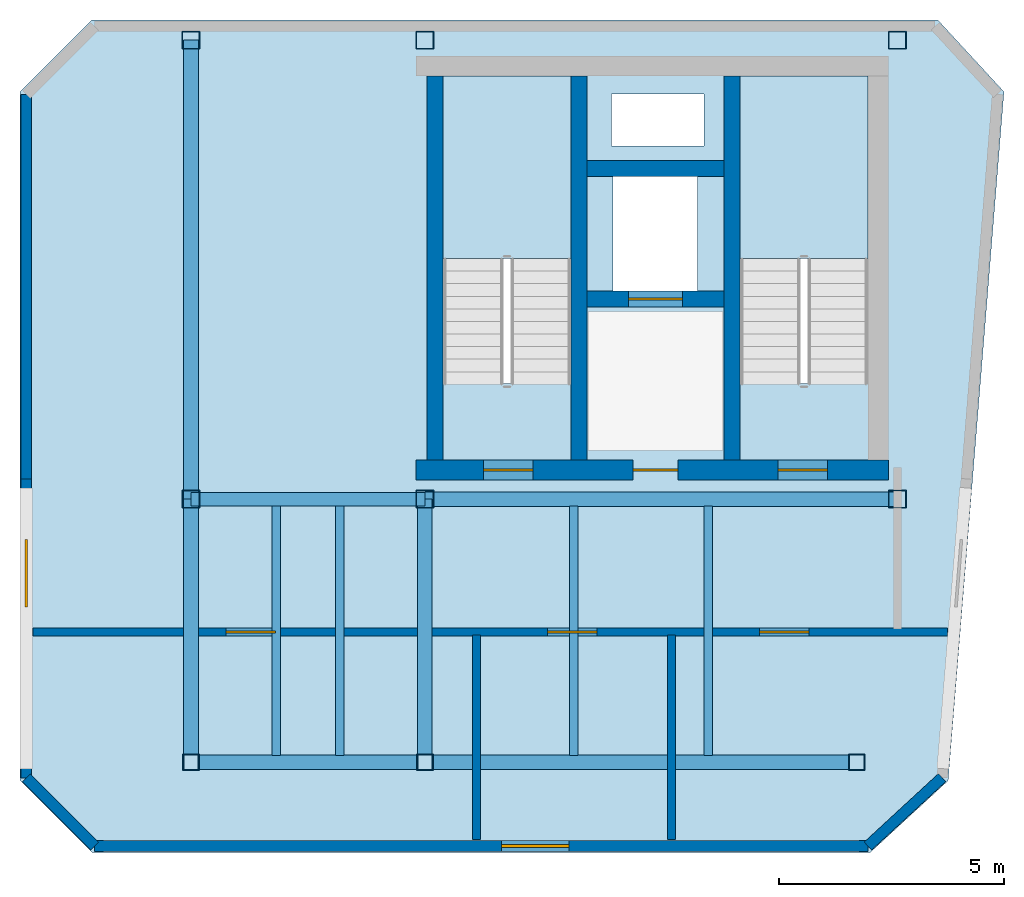
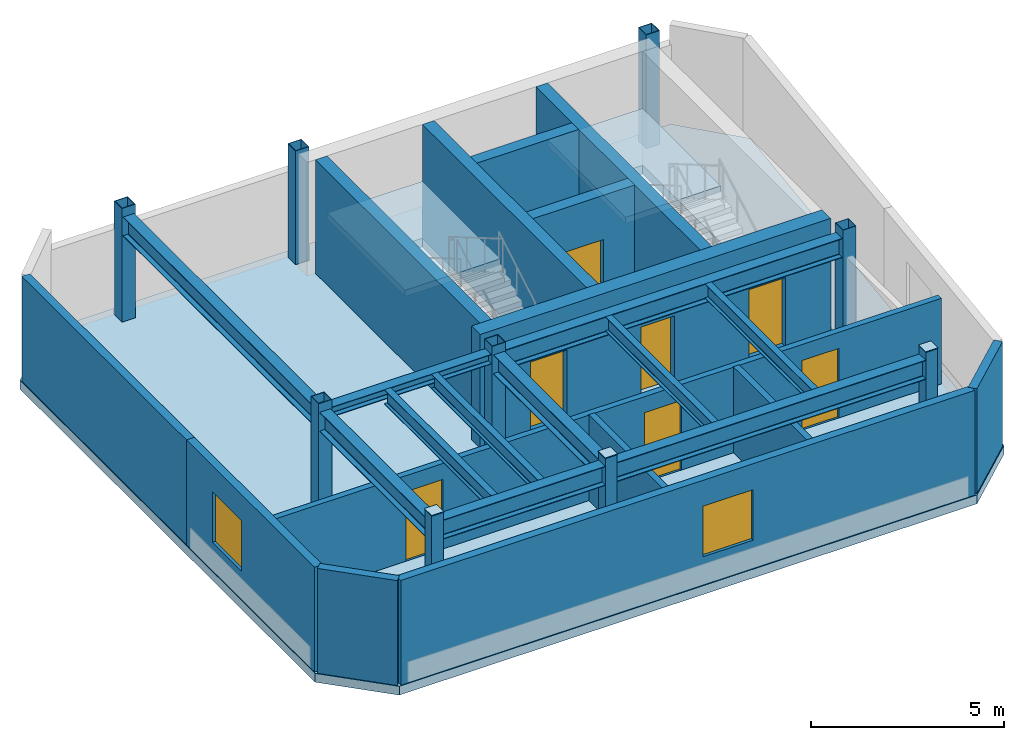
# One storey, part 1 of 3: 14 walls, 11 beams, 9 columns, 7 doors, 3 plates, 3 slabs, 2 windows, 9 openings, 2 elements without a shape of their own.
"""IFC4 building model written with IfcOpenShell, lengths in metres."""

import ifcopenshell
import ifcopenshell.guid

model = None  # the IFC model being written
_history = None  # IfcOwnerHistory: only IFC2X3 demands one
_inside = {}  # id of a spatial element -> (the spatial element, [elements in it])
_under = {}  # id of a project, library or spatial element -> (it, [spatial elements below it])
_declared = {}  # id of a project -> (the project, [libraries it declares])
_typed = {}  # id of a type object -> (the type object, [elements of that type])
_made_of = {}  # id of a material, layer set ... -> (it, [elements and type objects made of it])


def new_model(schema):
    """Start an empty IFC model of exactly this schema.

    Asked for "IFC4X3", IfcOpenShell would pick the latest addendum, in which some entities
    have other attributes; the version numbers below select the first issue.
    IFC2X3 requires an IfcOwnerHistory on every rooted entity: one is made here for all.
    """
    global model, _history
    if schema == "IFC4X3":
        model = ifcopenshell.file(schema_version=(4, 3, 0, 0))
    else:
        model = ifcopenshell.file(schema=schema)
    _inside.clear()
    _under.clear()
    _declared.clear()
    _typed.clear()
    _made_of.clear()
    _history = None
    if model.schema == "IFC2X3":
        org = make("IfcOrganization", Name="unknown")
        user = make(
            "IfcPersonAndOrganization",
            ThePerson=make("IfcPerson", FamilyName="unknown"),
            TheOrganization=org,
        )
        app = make(
            "IfcApplication",
            ApplicationDeveloper=org,
            Version="unknown",
            ApplicationFullName="unknown",
            ApplicationIdentifier="unknown",
        )
        _history = make(
            "IfcOwnerHistory",
            OwningUser=user,
            OwningApplication=app,
            ChangeAction="ADDED",
            CreationDate=0,
        )
    return model


def make(cls, **values):
    """One entity of the class cls with the attributes given. An attribute that is None is left unset."""
    return model.create_entity(
        cls, **{name: value for name, value in values.items() if value is not None}
    )


def rooted(cls, **values):
    """An entity with a GlobalId (a new one), such as an element, a storey or a relation."""
    return make(cls, GlobalId=ifcopenshell.guid.new(), OwnerHistory=_history, **values)


def si_unit(unit_type, name, prefix=None):
    """IfcSIUnit, for example si_unit("LENGTHUNIT", "METRE", prefix="MILLI")."""
    return make("IfcSIUnit", UnitType=unit_type, Prefix=prefix, Name=name)


def assignment(units):
    """IfcUnitAssignment: the units of a project."""
    return None if units is None else make("IfcUnitAssignment", Units=units)


def point(xyz):
    """IfcCartesianPoint."""
    return None if xyz is None else make("IfcCartesianPoint", Coordinates=xyz)


def direction(xyz):
    """IfcDirection."""
    return None if xyz is None else make("IfcDirection", DirectionRatios=xyz)


def frame(location, z_axis=None, x_axis=None):
    """IfcAxis2Placement3D, a coordinate frame: its origin and axes. An axis left out is left unset."""
    return make(
        "IfcAxis2Placement3D",
        Location=point(location),
        Axis=direction(z_axis),
        RefDirection=direction(x_axis),
    )


def frame_2d(location, x_axis=None):
    """IfcAxis2Placement2D, a coordinate frame in the plane: its origin and x axis."""
    return make(
        "IfcAxis2Placement2D", Location=point(location), RefDirection=direction(x_axis)
    )


def origin():
    """The frame at (0, 0, 0) with its axes left unset."""
    return frame((0.0, 0.0, 0.0))


def origin_2d():
    """The frame at (0, 0) in the plane with its x axis left unset."""
    return frame_2d((0.0, 0.0))


def place(relative_to, where):
    """IfcLocalPlacement: puts the frame where relative to a parent placement (None: the world)."""
    return make(
        "IfcLocalPlacement", PlacementRelTo=relative_to, RelativePlacement=where
    )


def context(
    kind, dimensions, precision=None, world=None, true_north=None, identifier=None
):
    """IfcGeometricRepresentationContext, for example the 3D "Model" context."""
    return make(
        "IfcGeometricRepresentationContext",
        ContextIdentifier=identifier,
        ContextType=kind,
        CoordinateSpaceDimension=dimensions,
        Precision=precision,
        WorldCoordinateSystem=world,
        TrueNorth=true_north,
    )


def subcontext(parent, identifier, kind, view, scale=None):
    """IfcGeometricRepresentationSubContext, for example "Body" below "Model"."""
    return make(
        "IfcGeometricRepresentationSubContext",
        ContextIdentifier=identifier,
        ContextType=kind,
        ParentContext=parent,
        TargetScale=scale,
        TargetView=view,
    )


def project(units=None, contexts=None):
    """IfcProject with its units and contexts."""
    return rooted(
        "IfcProject",
        Name="project",
        RepresentationContexts=contexts,
        UnitsInContext=assignment(units),
    )


def spatial(cls, under=None, at=None, **own):
    """A site, building, storey or space (cls), placed at a placement, below another one or the project."""
    s = rooted(cls, ObjectPlacement=at, **own)
    if under is not None:
        _under.setdefault(under.id(), (under, []))[1].append(s)
    return s


def polyline(points):
    """IfcPolyline through the points."""
    return make("IfcPolyline", Points=[point(p) for p in points])


def profile(cls, at=None, kind="AREA", **sizes):
    """A parametric profile (cls). Its sizes go by their IFC names, for example OverallWidth=200.0."""
    return make(cls, ProfileType=kind, Position=at, **sizes)


def rectangle(**sizes):
    """IfcRectangleProfileDef."""
    return profile("IfcRectangleProfileDef", **sizes)


def hollow_rectangle(**sizes):
    """IfcRectangleHollowProfileDef."""
    return profile("IfcRectangleHollowProfileDef", **sizes)


def i_section(**sizes):
    """IfcIShapeProfileDef."""
    return profile("IfcIShapeProfileDef", **sizes)


def outline(outer, holes=None, kind="AREA"):
    """IfcArbitraryClosedProfileDef: a profile drawn as a closed curve; with holes, ...WithVoids."""
    if holes is None:
        return make("IfcArbitraryClosedProfileDef", ProfileType=kind, OuterCurve=outer)
    return make(
        "IfcArbitraryProfileDefWithVoids",
        ProfileType=kind,
        OuterCurve=outer,
        InnerCurves=holes,
    )


def extrude(swept, where, along, depth):
    """IfcExtrudedAreaSolid: the profile swept, set in the frame where, extruded along a direction by depth."""
    return make(
        "IfcExtrudedAreaSolid",
        SweptArea=swept,
        Position=where,
        ExtrudedDirection=direction(along),
        Depth=depth,
    )


def shape(context_of_items, identifier, shape_type, items):
    """IfcShapeRepresentation: the items that make up one representation, for example the "Body"."""
    return make(
        "IfcShapeRepresentation",
        ContextOfItems=context_of_items,
        RepresentationIdentifier=identifier,
        RepresentationType=shape_type,
        Items=items,
    )


def material(Name=None, Category=None):
    """IfcMaterial."""
    return make("IfcMaterial", Name=Name, Category=Category)


def layer(
    of_material, thickness, ventilated=None, Name=None, Category=None, Priority=None
):
    """IfcMaterialLayer: one layer of a wall or slab, of a material (None: an air gap)."""
    return make(
        "IfcMaterialLayer",
        Material=of_material,
        LayerThickness=thickness,
        IsVentilated=ventilated,
        Name=Name,
        Category=Category,
        Priority=Priority,
    )


def layer_set(layers, Name=None):
    """IfcMaterialLayerSet."""
    return make("IfcMaterialLayerSet", MaterialLayers=layers, LayerSetName=Name)


def material_profile(
    of_material, cross_section, Name=None, Category=None, Priority=None
):
    """IfcMaterialProfile: a cross section and its material."""
    return make(
        "IfcMaterialProfile",
        Name=Name,
        Material=of_material,
        Profile=cross_section,
        Priority=Priority,
        Category=Category,
    )


def profile_set(profiles, Name=None, composite=None):
    """IfcMaterialProfileSet."""
    return make(
        "IfcMaterialProfileSet",
        Name=Name,
        MaterialProfiles=profiles,
        CompositeProfile=composite,
    )


def made_of(thing, what):
    """Note that an element or type object is made of a material, layer set ...; save() writes the relation."""
    if what is not None:
        _made_of.setdefault(what.id(), (what, []))[1].append(thing)
    return thing


def type_object(cls, material=None, **own):
    """A type object (cls), such as IfcWallType, which elements share."""
    return made_of(rooted(cls, **own), material)


def element(
    cls,
    number,
    at=None,
    inside=None,
    cuts=None,
    type_object=None,
    material=None,
    context=None,
    identifier="Body",
    shape_type=None,
    held_by="IfcProductDefinitionShape",
    body=None,
    shapes=None,
    **own,
):
    """One element of the class cls, such as IfcWall. Its Tag is "e" and its number.

    at: its placement. inside: the storey or other place that contains it. cuts: it is an
    opening in that element (IfcRelVoidsElement). A single representation is given by context,
    identifier, shape_type and body (its items); several are given by shapes. held_by: the class
    of the entity that holds the representations. save() writes the other relations.
    """
    e = rooted(cls, Tag="e%d" % number, ObjectPlacement=at, **own)
    if body is not None:
        shapes = [shape(context, identifier, shape_type, body)]
    if shapes is not None:
        e.Representation = make(held_by, Representations=shapes)
    if inside is not None:
        _inside.setdefault(inside.id(), (inside, []))[1].append(e)
    if cuts is not None:
        rooted(
            "IfcRelVoidsElement", RelatingBuildingElement=cuts, RelatedOpeningElement=e
        )
    if type_object is not None:
        _typed.setdefault(type_object.id(), (type_object, []))[1].append(e)
    return made_of(e, material)


def fill(opening, filler):
    """IfcRelFillsElement: the door or window that sits in an opening."""
    return rooted(
        "IfcRelFillsElement",
        RelatingOpeningElement=opening,
        RelatedBuildingElement=filler,
    )


def aggregate(whole, parts):
    """IfcRelAggregates: a whole, such as a stair, and the parts it consists of."""
    return rooted("IfcRelAggregates", RelatingObject=whole, RelatedObjects=parts)


def save(model, path):
    """Write the relations noted so far, then the file.

    IfcRelAggregates (storeys below a building ...), IfcRelContainedInSpatialStructure (elements
    in a storey), IfcRelDefinesByType, IfcRelAssociatesMaterial and IfcRelDeclares: one each for
    every whole, place, type object, material and project.
    """
    for whole, parts in _under.values():
        aggregate(whole, parts)
    for where, things in _inside.values():
        rooted(
            "IfcRelContainedInSpatialStructure",
            RelatedElements=things,
            RelatingStructure=where,
        )
    for kind, things in _typed.values():
        rooted("IfcRelDefinesByType", RelatedObjects=things, RelatingType=kind)
    for what, things in _made_of.values():
        rooted("IfcRelAssociatesMaterial", RelatedObjects=things, RelatingMaterial=what)
    for by, libraries in _declared.values():
        rooted("IfcRelDeclares", RelatingContext=by, RelatedDefinitions=libraries)
    model.write(path)


model = new_model("IFC4")

# Units and contexts
model_context = context("Model", 3, precision=1e-05, world=origin(), true_north=direction((0.0, 1.0)))
body_context = subcontext(model_context, "Body", "Model", "MODEL_VIEW")
ifc_project = project(units=[si_unit("LENGTHUNIT", "METRE"), si_unit("AREAUNIT", "SQUARE_METRE"), si_unit("VOLUMEUNIT", "CUBIC_METRE"), si_unit("PLANEANGLEUNIT", "RADIAN"), si_unit("MASSUNIT", "GRAM", prefix="KILO")], contexts=[model_context])

# Site, building, storey
site_placement = place(None, origin())
site = spatial("IfcSite", under=ifc_project, at=site_placement, CompositionType="ELEMENT")
building_placement = place(site_placement, origin())
building = spatial("IfcBuilding", under=site, at=building_placement, Name="Kravanh Interchange Tower", CompositionType="ELEMENT")
storey_placement = place(building_placement, frame((0.0, 0.0, 326.39990234375)))
storey = spatial("IfcBuildingStorey", under=building, at=storey_placement, Name="L81", CompositionType="ELEMENT", Elevation=326.39990234375)

# Columns
ifc_material_1 = material(Name="Structural Steel S355", Category="steel")
ifc_material_profile_1 = material_profile(ifc_material_1, hollow_rectangle(XDim=0.35009765625, YDim=0.35009765625, WallThickness=0.01611328125, at=origin_2d()), Name="HSS350X350X16")
ifc_profile_set_1 = profile_set([ifc_material_profile_1], Name="Structural Steel S355")
column_type_1 = type_object("IfcColumnType", Name="Column HSS350X350X16 Structural Steel S355", PredefinedType="COLUMN", material=ifc_profile_set_1)
for number, where, z_axis, x_axis, name in (
    (1, (56.0, 31.5, 0.0), (0.0, 0.0, 1.0), (1.0, 0.0, 0.0), "L81 Column CC_F"),
    (2, (65.60009765625, 31.5, 0.0), (0.0, 0.0, 1.0), (1.0, 0.0, 0.0), "L81 Column CC_G"),
    (3, (50.800048828125, 31.5, 0.0), (0.0, 0.0, 1.0), (1.0, 0.0, 0.0), "L81 Column CC_I"),
):
    element("IfcColumn", number, at=place(storey_placement, frame(where, z_axis=z_axis, x_axis=x_axis)), inside=storey, type_object=column_type_1, Name=name, PredefinedType="COLUMN", context=body_context, shape_type="SweptSolid", body=[
        extrude(hollow_rectangle(XDim=0.35009765625, YDim=0.35009765625, WallThickness=0.01611328125, at=origin_2d()), origin(), (0.0, 0.0, 1.0), 3.5751953125),
    ])
ifc_material_2 = material(Name="Structural Steel S355", Category="steel")
ifc_material_profile_2 = material_profile(ifc_material_2, hollow_rectangle(XDim=0.39990234375, YDim=0.39990234375, WallThickness=0.01611328125, at=origin_2d()), Name="HSS400X400X16")
ifc_profile_set_2 = profile_set([ifc_material_profile_2], Name="Structural Steel S355")
column_type_2 = type_object("IfcColumnType", Name="Column HSS400X400X16 Structural Steel S355", PredefinedType="COLUMN", material=ifc_profile_set_2)
for number, where, z_axis, x_axis, name in (
    (4, (66.5, 47.550048828125, 0.0), (0.0, 0.0, 1.0), (1.0, 0.0, 0.0), "L81 Column CS01"),
    (5, (56.0, 47.550048828125, 0.0), (0.0, 0.0, 1.0), (1.0, 0.0, 0.0), "L81 Column CS02"),
    (6, (66.5, 37.35009765625, 0.0), (0.0, 0.0, 1.0), (1.0, 0.0, 0.0), "L81 Column CS03"),
    (7, (56.0, 37.35009765625, 0.0), (0.0, 0.0, 1.0), (1.0, 0.0, 0.0), "L81 Column CS04"),
    (8, (50.800048828125, 47.550048828125, 0.0), (0.0, 0.0, 1.0), (1.0, 0.0, 0.0), "L81 Column CS05"),
    (9, (50.800048828125, 37.35009765625, 0.0), (0.0, 0.0, 1.0), (1.0, 0.0, 0.0), "L81 Column CS06"),
):
    element("IfcColumn", number, at=place(storey_placement, frame(where, z_axis=z_axis, x_axis=x_axis)), inside=storey, type_object=column_type_2, Name=name, PredefinedType="COLUMN", context=body_context, shape_type="SweptSolid", body=[
        extrude(hollow_rectangle(XDim=0.39990234375, YDim=0.39990234375, WallThickness=0.01611328125, at=origin_2d()), origin(), (0.0, 0.0, 1.0), 3.60009765625),
    ])

# Beams
ifc_material_3 = material(Name="Structural Steel S355", Category="steel")
ifc_material_profile_3 = material_profile(ifc_material_3, i_section(OverallWidth=0.323974609375, OverallDepth=0.611083984375, WebThickness=0.0126953125, FlangeThickness=0.01904296875, FilletRadius=0.02197265625, at=origin_2d()), Name="W24X104")
ifc_profile_set_3 = profile_set([ifc_material_profile_3], Name="Structural Steel S355")
beam_type_1 = type_object("IfcBeamType", Name="Floor Beam W24X104 Structural Steel S355", PredefinedType="BEAM", material=ifc_profile_set_3)
beam_1_placement = place(storey_placement, frame((56.0, 31.5, 3.0146484375), z_axis=(-1.0, 0.0, 0.0), x_axis=(0.0, -1.0, 0.0)))
element("IfcBeam", 10, at=beam_1_placement, inside=storey, type_object=beam_type_1, Name="L81 Primary Floor Girder 1", PredefinedType="BEAM", context=body_context, shape_type="SweptSolid", body=[
    extrude(i_section(OverallWidth=0.323974609375, OverallDepth=0.611083984375, WebThickness=0.0126953125, FlangeThickness=0.01904296875, FilletRadius=0.02197265625, at=origin_2d()), origin(), (0.0, 0.0, 1.0), 5.199951171875),
])
beam_2_placement = place(storey_placement, frame((56.0, 31.5, 3.0146484375), z_axis=(0.0, 1.0, 0.0), x_axis=(-1.0, 0.0, 0.0)))
element("IfcBeam", 11, at=beam_2_placement, inside=storey, type_object=beam_type_1, Name="L81 Primary Floor Girder 2", PredefinedType="BEAM", context=body_context, shape_type="SweptSolid", body=[
    extrude(i_section(OverallWidth=0.323974609375, OverallDepth=0.611083984375, WebThickness=0.0126953125, FlangeThickness=0.01904296875, FilletRadius=0.02197265625, at=origin_2d()), origin(), (0.0, 0.0, 1.0), 5.85009765625),
])
beam_3_placement = place(storey_placement, frame((56.0, 31.5, 3.0146484375), z_axis=(1.0, 0.0, 0.0), x_axis=(0.0, 1.0, 0.0)))
element("IfcBeam", 12, at=beam_3_placement, inside=storey, type_object=beam_type_1, Name="L81 Primary Floor Girder 3", PredefinedType="BEAM", context=body_context, shape_type="SweptSolid", body=[
    extrude(i_section(OverallWidth=0.323974609375, OverallDepth=0.611083984375, WebThickness=0.0126953125, FlangeThickness=0.01904296875, FilletRadius=0.02197265625, at=origin_2d()), origin(), (0.0, 0.0, 1.0), 9.60009765625),
])
beam_4_placement = place(storey_placement, frame((50.800048828125, 31.5, 3.0146484375), z_axis=(0.0, 1.0, 0.0), x_axis=(-1.0, 0.0, 0.0)))
element("IfcBeam", 13, at=beam_4_placement, inside=storey, type_object=beam_type_1, Name="L81 Primary Floor Girder 4", PredefinedType="BEAM", context=body_context, shape_type="SweptSolid", body=[
    extrude(i_section(OverallWidth=0.323974609375, OverallDepth=0.611083984375, WebThickness=0.0126953125, FlangeThickness=0.01904296875, FilletRadius=0.02197265625, at=origin_2d()), origin(), (0.0, 0.0, 1.0), 5.85009765625),
])
beam_5_placement = place(storey_placement, frame((66.5, 37.35009765625, 3.0146484375), z_axis=(-1.0, 0.0, 0.0), x_axis=(0.0, -1.0, 0.0)))
element("IfcBeam", 14, at=beam_5_placement, inside=storey, type_object=beam_type_1, Name="L81 Primary Floor Girder 9", PredefinedType="BEAM", context=body_context, shape_type="SweptSolid", body=[
    extrude(i_section(OverallWidth=0.323974609375, OverallDepth=0.611083984375, WebThickness=0.0126953125, FlangeThickness=0.01904296875, FilletRadius=0.02197265625, at=origin_2d()), origin(), (0.0, 0.0, 1.0), 10.5),
])
beam_6_placement = place(storey_placement, frame((50.800048828125, 47.550048828125, 3.0146484375), z_axis=(0.0, -1.0, 0.0), x_axis=(1.0, 0.0, 0.0)))
element("IfcBeam", 15, at=beam_6_placement, inside=storey, type_object=beam_type_1, Name="L81 Primary Floor Girder 11", PredefinedType="BEAM", context=body_context, shape_type="SweptSolid", body=[
    extrude(i_section(OverallWidth=0.323974609375, OverallDepth=0.611083984375, WebThickness=0.0126953125, FlangeThickness=0.01904296875, FilletRadius=0.02197265625, at=origin_2d()), origin(), (0.0, 0.0, 1.0), 10.199951171875),
])
ifc_material_4 = material(Name="Structural Steel S355", Category="steel")
ifc_material_profile_4 = material_profile(ifc_material_4, i_section(OverallWidth=0.18994140625, OverallDepth=0.45703125, WebThickness=0.009033203125, FlangeThickness=0.014404296875, FilletRadius=0.01806640625, at=origin_2d()), Name="W18X50")
ifc_profile_set_4 = profile_set([ifc_material_profile_4], Name="Structural Steel S355")
beam_type_2 = type_object("IfcBeamType", Name="Floor Joist W18X50 Structural Steel S355", PredefinedType="JOIST", material=ifc_profile_set_4)
for number, where, z_axis, x_axis, name in (
    (16, (52.697998046875, 31.656982421875, 3.091552734375), (0.0, 1.0, 0.0), (-1.0, 0.0, 0.0), "L81 Secondary Floor Joist 1"),
    (17, (54.10205078125, 31.656982421875, 3.091552734375), (0.0, 1.0, 0.0), (-1.0, 0.0, 0.0), "L81 Secondary Floor Joist 2"),
):
    element("IfcBeam", number, at=place(storey_placement, frame(where, z_axis=z_axis, x_axis=x_axis)), inside=storey, type_object=beam_type_2, Name=name, PredefinedType="JOIST", context=body_context, shape_type="SweptSolid", body=[
        extrude(i_section(OverallWidth=0.18994140625, OverallDepth=0.45703125, WebThickness=0.009033203125, FlangeThickness=0.014404296875, FilletRadius=0.01806640625, at=origin_2d()), origin(), (0.0, 0.0, 1.0), 5.54541015625),
    ])
for number, where, z_axis, x_axis, name in (
    (18, (59.305908203125, 31.656982421875, 3.091552734375), (0.0, 1.0, 0.0), (-1.0, 0.0, 0.0), "L81 Secondary Floor Joist 3"),
    (19, (62.2939453125, 31.656982421875, 3.091552734375), (0.0, 1.0, 0.0), (-1.0, 0.0, 0.0), "L81 Secondary Floor Joist 4"),
):
    element("IfcBeam", number, at=place(storey_placement, frame(where, z_axis=z_axis, x_axis=x_axis)), inside=storey, type_object=beam_type_2, Name=name, PredefinedType="JOIST", context=body_context, shape_type="SweptSolid", body=[
        extrude(i_section(OverallWidth=0.18994140625, OverallDepth=0.45703125, WebThickness=0.009033203125, FlangeThickness=0.014404296875, FilletRadius=0.01806640625, at=origin_2d()), origin(), (0.0, 0.0, 1.0), 5.5361328125),
    ])
ifc_material_5 = material(Name="Structural Steel S355", Category="steel")
ifc_material_profile_5 = material_profile(ifc_material_5, i_section(OverallWidth=0.304931640625, OverallDepth=0.306884765625, WebThickness=0.010009765625, FlangeThickness=0.015380859375, FilletRadius=0.014892578125, at=origin_2d()), Name="W12X65")
ifc_profile_set_5 = profile_set([ifc_material_profile_5], Name="Structural Steel S355")
beam_type_3 = type_object("IfcBeamType", Name="Floor Lintel W12X65 Structural Steel S355", PredefinedType="LINTEL", material=ifc_profile_set_5)
beam_7_placement = place(storey_placement, frame((50.800048828125, 37.35009765625, 3.16650390625), z_axis=(1.0, 0.0, 0.0), x_axis=(0.0, 1.0, 0.0)))
element("IfcBeam", 20, at=beam_7_placement, inside=storey, type_object=beam_type_3, Name="L81 Core Coupling Lintel 1", PredefinedType="LINTEL", context=body_context, shape_type="SweptSolid", body=[
    extrude(i_section(OverallWidth=0.304931640625, OverallDepth=0.306884765625, WebThickness=0.010009765625, FlangeThickness=0.015380859375, FilletRadius=0.014892578125, at=origin_2d()), origin(), (0.0, 0.0, 1.0), 5.199951171875),
])

# Plates
ifc_material_6 = material(Name="Structural Steel S355", Category="steel")
ifc_layer_1 = layer(ifc_material_6, 0.02490234375)
ifc_layer_set_1 = layer_set([ifc_layer_1], Name="Column End Cap Plate 370x370x25 S355")
plate_type = type_object("IfcPlateType", Name="Column End Cap Plate 370x370x25 S355", PredefinedType="SHEET", material=ifc_layer_set_1)
for number, where, z_axis, x_axis, name in (
    (21, (56.0, 31.5, 3.5751953125), (0.0, 0.0, 1.0), (1.0, 0.0, 0.0), "L81 Hollow Column CC_F End Cap Plate"),
    (22, (65.60009765625, 31.5, 3.5751953125), (0.0, 0.0, 1.0), (1.0, 0.0, 0.0), "L81 Hollow Column CC_G End Cap Plate"),
    (23, (50.800048828125, 31.5, 3.5751953125), (0.0, 0.0, 1.0), (1.0, 0.0, 0.0), "L81 Hollow Column CC_I End Cap Plate"),
):
    element("IfcPlate", number, at=place(storey_placement, frame(where, z_axis=z_axis, x_axis=x_axis)), inside=storey, type_object=plate_type, Name=name, PredefinedType="SHEET", context=body_context, shape_type="SweptSolid", body=[
        extrude(rectangle(XDim=0.3701171875, YDim=0.3701171875, at=origin_2d()), origin(), (0.0, 0.0, 1.0), 0.02490234375),
    ])

# Slab
ifc_material_7 = material(Name="Concrete C60/75", Category="concrete")
ifc_layer_2 = layer(ifc_material_7, 0.280029296875)
ifc_layer_set_2 = layer_set([ifc_layer_2], Name="Composite Floor Slab Concrete C60/75 280mm")
slab_type_1 = type_object("IfcSlabType", Name="Composite Floor Slab Concrete C60/75 280mm", PredefinedType="FLOOR", material=ifc_layer_set_2)
slab_1_placement = place(storey_placement, frame((0.0, 0.0, -0.27978515625)))
element("IfcSlab", 24, at=slab_1_placement, inside=storey, type_object=slab_type_1, Name="L81 Structural Floor Slab", PredefinedType="FLOOR", context=body_context, shape_type="SweptSolid", body=[
    extrude(outline(polyline([(47.0, 31.10009765625), (48.60009765625, 29.5), (65.89990234375, 29.5), (67.62939453125, 31.0947265625), (68.87060546875, 46.4052734375), (67.39990234375, 48.0), (48.60009765625, 48.0), (47.0, 46.39990234375), (47.0, 31.10009765625)]), holes=[polyline([(65.85009765625, 39.925048828125), (65.85009765625, 46.75), (63.0, 46.75), (63.0, 39.925048828125), (65.85009765625, 39.925048828125)]), polyline([(59.25, 39.925048828125), (59.25, 46.75), (56.39990234375, 46.75), (56.39990234375, 39.925048828125), (59.25, 39.925048828125)]), polyline([(60.179931640625, 41.97998046875), (62.06005859375, 41.97998046875), (62.06005859375, 44.52001953125), (60.179931640625, 44.52001953125), (60.179931640625, 41.97998046875)]), polyline([(60.14990234375, 45.199951171875), (62.199951171875, 45.199951171875), (62.199951171875, 46.35009765625), (60.14990234375, 46.35009765625), (60.14990234375, 45.199951171875)])]), origin(), (0.0, 0.0, 1.0), 0.27978515625),
])

# Stair, slab
ifc_material_8 = material(Name="Concrete C50/60", Category="concrete")
stair_type = type_object("IfcStairType", Name="Core Fire Exit Dogleg Stair Concrete C50/60", PredefinedType="HALF_TURN_STAIR", material=ifc_material_8)
stair_1_placement = place(storey_placement, origin())
stair_1 = element("IfcStair", 25, at=stair_1_placement, inside=storey, type_object=stair_type, Name="L81 Exit Stair ST1", PredefinedType="HALF_TURN_STAIR")
ifc_material_9 = material(Name="Concrete C50/60", Category="concrete")
ifc_layer_3 = layer(ifc_material_9, 0.199951171875)
ifc_layer_set_3 = layer_set([ifc_layer_3], Name="Concrete C50/60 Stair Half-Landing Slab 200mm")
slab_type_2 = type_object("IfcSlabType", Name="Concrete C50/60 Stair Half-Landing Slab 200mm", PredefinedType="LANDING", material=ifc_layer_set_3)
slab_2_placement = place(storey_placement, frame((0.0, 0.0, 1.60009765625)))
slab_2 = element("IfcSlab", 26, at=slab_2_placement, type_object=slab_type_2, Name="ST1 landing 1", PredefinedType="LANDING", context=body_context, shape_type="SweptSolid", body=[
    extrude(outline(polyline([(65.85009765625, 42.699951171875), (65.85009765625, 46.75), (63.0, 46.75), (63.0, 42.699951171875), (65.85009765625, 42.699951171875)])), origin(), (0.0, 0.0, 1.0), 0.199951171875),
])
aggregate(stair_1, [slab_2])

stair_2_placement = place(storey_placement, origin())
stair_2 = element("IfcStair", 27, at=stair_2_placement, inside=storey, type_object=stair_type, Name="L81 Exit Stair ST2", PredefinedType="HALF_TURN_STAIR")
slab_3_placement = place(storey_placement, frame((0.0, 0.0, 1.60009765625)))
slab_3 = element("IfcSlab", 28, at=slab_3_placement, type_object=slab_type_2, Name="ST2 landing 1", PredefinedType="LANDING", context=body_context, shape_type="SweptSolid", body=[
    extrude(outline(polyline([(59.25, 42.699951171875), (59.25, 46.75), (56.39990234375, 46.75), (56.39990234375, 42.699951171875), (59.25, 42.699951171875)])), origin(), (0.0, 0.0, 1.0), 0.199951171875),
])
aggregate(stair_2, [slab_3])

# Walls
ifc_material_10 = material(Name="Concrete C60/75", Category="concrete")
ifc_layer_4 = layer(ifc_material_10, 0.35009765625)
ifc_layer_set_4 = layer_set([ifc_layer_4], Name="Core Shear Wall Concrete C60/75 350mm")
wall_type_1 = type_object("IfcWallType", Name="Core Shear Wall Concrete C60/75 350mm", PredefinedType="SHEAR", material=ifc_layer_set_4)
for number, where, z_axis, x_axis, name in (
    (29, (62.824951171875, 38.22509765625, 0.0), (0.0, 0.0, 1.0), (0.0, 1.0, 0.0), "L81 Stair ST1 West Shear Wall"),
    (30, (59.425048828125, 38.22509765625, 0.0), (0.0, 0.0, 1.0), (0.0, 1.0, 0.0), "L81 Stair ST2 East Shear Wall"),
    (31, (56.22509765625, 38.22509765625, 0.0), (0.0, 0.0, 1.0), (0.0, 1.0, 0.0), "L81 Stair ST2 West Shear Wall"),
):
    element("IfcWall", number, at=place(storey_placement, frame(where, z_axis=z_axis, x_axis=x_axis)), inside=storey, type_object=wall_type_1, Name=name, PredefinedType="SHEAR", context=body_context, shape_type="SweptSolid", body=[
        extrude(rectangle(XDim=8.52490234375, YDim=0.35009765625, at=frame_2d((4.262451171875, 0.0))), origin(), (0.0, 0.0, 1.0), 3.60009765625),
    ])

# Wall, opening, door
wall_1_placement = place(storey_placement, frame((59.60009765625, 41.800048828125, 0.0), z_axis=(0.0, 0.0, 1.0), x_axis=(1.0, 0.0, 0.0)))
wall_1 = element("IfcWall", 32, at=wall_1_placement, inside=storey, type_object=wall_type_1, Name="L81 Service Lift Shaft South Wall", PredefinedType="SHEAR", context=body_context, shape_type="SweptSolid", body=[
    extrude(rectangle(XDim=3.0498046875, YDim=0.35009765625, at=frame_2d((1.52490234375, 0.0))), origin(), (0.0, 0.0, 1.0), 3.60009765625),
])
opening_1_placement = place(wall_1_placement, frame((0.919921875, 0.0, 0.0)))
opening_1 = element("IfcOpeningElement", 33, at=opening_1_placement, cuts=wall_1, Name="Opening LD02", PredefinedType="OPENING", context=body_context, shape_type="SweptSolid", body=[
    extrude(rectangle(XDim=1.199951171875, YDim=2.199951171875, at=frame_2d((0.60009765625, 1.10009765625))), frame((0.0, 0.18505859375, 0.0), z_axis=(0.0, -1.0, 0.0), x_axis=(1.0, 0.0, 0.0)), (0.0, 0.0, 1.0), 0.3701171875),
])
ifc_material_11 = material(Name="Stainless Steel 316", Category="steel")
door_type_1 = type_object("IfcDoorType", Name="Fire and Service Lift Sliding Landing Door 1200x2200", OperationType="DOUBLE_DOOR_SLIDING", PredefinedType="DOOR", material=ifc_material_11)
door_1_placement = place(opening_1_placement, origin())
door_1 = element("IfcDoor", 34, at=door_1_placement, inside=storey, type_object=door_type_1, Name="L81 Lift LS-01 Landing Door", OperationType="DOUBLE_DOOR_SLIDING", OverallHeight=2.199951171875, OverallWidth=1.199951171875, PredefinedType="DOOR", context=body_context, shape_type="SweptSolid", body=[
    extrude(rectangle(XDim=1.199951171875, YDim=2.199951171875, at=frame_2d((0.60009765625, 1.10009765625))), frame((0.0, 0.02490234375, 0.0), z_axis=(0.0, -1.0, 0.0), x_axis=(1.0, 0.0, 0.0)), (0.0, 0.0, 1.0), 0.050048828125),
])
fill(opening_1, door_1)

# Wall
wall_2_placement = place(storey_placement, frame((59.60009765625, 44.699951171875, 0.0), z_axis=(0.0, 0.0, 1.0), x_axis=(1.0, 0.0, 0.0)))
element("IfcWall", 35, at=wall_2_placement, inside=storey, type_object=wall_type_1, Name="L81 Service Lift Shaft North Wall", PredefinedType="SHEAR", context=body_context, shape_type="SweptSolid", body=[
    extrude(rectangle(XDim=3.0498046875, YDim=0.35009765625, at=frame_2d((1.52490234375, 0.0))), origin(), (0.0, 0.0, 1.0), 3.60009765625),
])

# Wall, openings, doors
ifc_material_12 = material(Name="Concrete C60/75", Category="concrete")
ifc_layer_5 = layer(ifc_material_12, 0.449951171875)
ifc_layer_set_5 = layer_set([ifc_layer_5], Name="Core Shear Wall Concrete C60/75 450mm")
wall_type_2 = type_object("IfcWallType", Name="Core Shear Wall Concrete C60/75 450mm", PredefinedType="SHEAR", material=ifc_layer_set_5)
wall_3_placement = place(storey_placement, frame((55.800048828125, 38.0, 0.0), z_axis=(0.0, 0.0, 1.0), x_axis=(1.0, 0.0, 0.0)))
wall_3 = element("IfcWall", 36, at=wall_3_placement, inside=storey, type_object=wall_type_2, Name="L81 East Core South Shear Wall", PredefinedType="SHEAR", context=body_context, shape_type="SweptSolid", body=[
    extrude(rectangle(XDim=10.5, YDim=0.449951171875, at=frame_2d((5.25, 0.0))), origin(), (0.0, 0.0, 1.0), 3.60009765625),
])
opening_2_placement = place(wall_3_placement, frame((1.5, 0.0, 0.0)))
opening_2 = element("IfcOpeningElement", 37, at=opening_2_placement, cuts=wall_3, Name="Opening D-STAIR-110", PredefinedType="OPENING", context=body_context, shape_type="SweptSolid", body=[
    extrude(rectangle(XDim=1.10009765625, YDim=2.199951171875, at=frame_2d((0.550048828125, 1.10009765625))), frame((0.0, 0.23486328125, 0.0), z_axis=(0.0, -1.0, 0.0), x_axis=(1.0, 0.0, 0.0)), (0.0, 0.0, 1.0), 0.469970703125),
])
opening_3_placement = place(wall_3_placement, frame((4.820068359375, 0.0, 0.0)))
opening_3 = element("IfcOpeningElement", 38, at=opening_3_placement, cuts=wall_3, Name="Opening D-HOTEL-100", PredefinedType="OPENING", context=body_context, shape_type="SweptSolid", body=[
    extrude(rectangle(XDim=1.0, YDim=2.14990234375, at=frame_2d((0.5, 1.074951171875))), frame((0.0, 0.23486328125, 0.0), z_axis=(0.0, -1.0, 0.0), x_axis=(1.0, 0.0, 0.0)), (0.0, 0.0, 1.0), 0.469970703125),
])
opening_4_placement = place(wall_3_placement, frame((8.050048828125, 0.0, 0.0)))
opening_4 = element("IfcOpeningElement", 39, at=opening_4_placement, cuts=wall_3, Name="Opening D-STAIR-110", PredefinedType="OPENING", context=body_context, shape_type="SweptSolid", body=[
    extrude(rectangle(XDim=1.10009765625, YDim=2.199951171875, at=frame_2d((0.550048828125, 1.10009765625))), frame((0.0, 0.23486328125, 0.0), z_axis=(0.0, -1.0, 0.0), x_axis=(1.0, 0.0, 0.0)), (0.0, 0.0, 1.0), 0.469970703125),
])
ifc_material_13 = material(Name="Structural Steel S355", Category="steel")
door_type_2 = type_object("IfcDoorType", Name="Fire-Rated Exit Stair Door 1100x2200", OperationType="NOTDEFINED", PredefinedType="DOOR", material=ifc_material_13)
door_2_placement = place(opening_2_placement, origin())
door_2 = element("IfcDoor", 40, at=door_2_placement, inside=storey, type_object=door_type_2, Name="L81 Exit Stair ST2 Door", OperationType="SINGLE_SWING_RIGHT", OverallHeight=2.199951171875, OverallWidth=1.10009765625, PredefinedType="DOOR", context=body_context, shape_type="SweptSolid", body=[
    extrude(rectangle(XDim=1.10009765625, YDim=2.199951171875, at=frame_2d((0.550048828125, 1.10009765625))), frame((0.0, 0.02490234375, 0.0), z_axis=(0.0, -1.0, 0.0), x_axis=(1.0, 0.0, 0.0)), (0.0, 0.0, 1.0), 0.050048828125),
])
fill(opening_2, door_2)
door_3_placement = place(opening_4_placement, origin())
door_3 = element("IfcDoor", 41, at=door_3_placement, inside=storey, type_object=door_type_2, Name="L81 Exit Stair ST1 Door", OperationType="SINGLE_SWING_RIGHT", OverallHeight=2.199951171875, OverallWidth=1.10009765625, PredefinedType="DOOR", context=body_context, shape_type="SweptSolid", body=[
    extrude(rectangle(XDim=1.10009765625, YDim=2.199951171875, at=frame_2d((0.550048828125, 1.10009765625))), frame((0.0, 0.02490234375, 0.0), z_axis=(0.0, -1.0, 0.0), x_axis=(1.0, 0.0, 0.0)), (0.0, 0.0, 1.0), 0.050048828125),
])
fill(opening_4, door_3)
ifc_material_14 = material(Name="Fire-Rated Solid Timber Leaf", Category="wood")
door_type_3 = type_object("IfcDoorType", Name="Fire-Rated Suite Entrance Door 1000x2150", OperationType="NOTDEFINED", PredefinedType="DOOR", material=ifc_material_14)
door_4_placement = place(opening_3_placement, origin())
door_4 = element("IfcDoor", 42, at=door_4_placement, inside=storey, type_object=door_type_3, Name="L81 Service Lift Lobby Door", OperationType="SINGLE_SWING_RIGHT", OverallHeight=2.14990234375, OverallWidth=1.0, PredefinedType="DOOR", context=body_context, shape_type="SweptSolid", body=[
    extrude(rectangle(XDim=1.0, YDim=2.14990234375, at=frame_2d((0.5, 1.074951171875))), frame((0.0, 0.02490234375, 0.0), z_axis=(0.0, -1.0, 0.0), x_axis=(1.0, 0.0, 0.0)), (0.0, 0.0, 1.0), 0.050048828125),
])
fill(opening_3, door_4)

# Wall, opening, window
ifc_material_15 = material(Name="Insulated Concrete C40/50 with Bronze Rainscreen", Category="concrete")
ifc_layer_6 = layer(ifc_material_15, 0.239990234375)
ifc_layer_set_6 = layer_set([ifc_layer_6], Name="Exterior Insulated Concrete C40/50 Crown Enclosure Wall 240mm")
wall_type_3 = type_object("IfcWallType", Name="Exterior Insulated Concrete C40/50 Crown Enclosure Wall 240mm", PredefinedType="STANDARD", material=ifc_layer_set_6)
wall_4_placement = place(storey_placement, frame((47.139892578125, 31.157958984375, 0.0), z_axis=(0.0, 0.0, 1.0), x_axis=(0.0, 1.0, 0.0)))
wall_4 = element("IfcWall", 43, at=wall_4_placement, inside=storey, type_object=wall_type_3, Name="L81 Exterior Enclosure Wall 1", PredefinedType="STANDARD", context=body_context, shape_type="SweptSolid", body=[
    extrude(rectangle(XDim=6.64208984375, YDim=0.239990234375, at=frame_2d((3.321044921875, 0.0))), origin(), (0.0, 0.0, 1.0), 3.320068359375),
])
opening_5_placement = place(wall_4_placement, frame((3.79248046875, 0.0, 0.89990234375)))
opening_5 = element("IfcOpeningElement", 44, at=opening_5_placement, cuts=wall_4, Name="Opening WN-150X160", PredefinedType="OPENING", context=body_context, shape_type="SweptSolid", body=[
    extrude(rectangle(XDim=1.5, YDim=1.60009765625, at=frame_2d((0.75, 0.800048828125))), frame((0.0, 0.1298828125, 0.0), z_axis=(0.0, -1.0, 0.0), x_axis=(1.0, 0.0, 0.0)), (0.0, 0.0, 1.0), 0.260009765625),
])
ifc_material_16 = material(Name="Thermally Broken Bronze Aluminium and Low-E Glass", Category="aluminium")
window_type = type_object("IfcWindowType", Name="Crown Clerestory Window 1500x1600", PartitioningType="SINGLE_PANEL", PredefinedType="WINDOW", material=ifc_material_16)
window_1_placement = place(opening_5_placement, origin())
window_1 = element("IfcWindow", 45, at=window_1_placement, inside=storey, type_object=window_type, Name="L81 Crown Clerestory Window 1", OverallHeight=1.60009765625, OverallWidth=1.5, PartitioningType="SINGLE_PANEL", PredefinedType="WINDOW", context=body_context, shape_type="SweptSolid", body=[
    extrude(rectangle(XDim=1.5, YDim=1.60009765625, at=frame_2d((0.75, 0.800048828125))), frame((0.0, 0.030029296875, 0.0), z_axis=(0.0, -1.0, 0.0), x_axis=(1.0, 0.0, 0.0)), (0.0, 0.0, 1.0), 0.06005859375),
])
fill(opening_5, window_1)

# Walls
wall_5_placement = place(storey_placement, frame((47.139892578125, 37.800048828125, 0.0), z_axis=(0.0, 0.0, 1.0), x_axis=(0.0, 1.0, 0.0)))
element("IfcWall", 46, at=wall_5_placement, inside=storey, type_object=wall_type_3, Name="L81 Exterior Enclosure Wall 2", PredefinedType="STANDARD", context=body_context, shape_type="SweptSolid", body=[
    extrude(rectangle(XDim=8.5419921875, YDim=0.239990234375, at=frame_2d((4.27099609375, 0.0))), origin(), (0.0, 0.0, 1.0), 3.320068359375),
])
wall_6_placement = place(storey_placement, frame((67.494140625, 31.16064453125, 0.0), z_axis=(0.0, 0.0, 1.0), x_axis=(-0.735099639576, -0.677959084234, 0.0)))
element("IfcWall", 47, at=wall_6_placement, inside=storey, type_object=wall_type_3, Name="L81 Exterior Enclosure Wall 8", PredefinedType="STANDARD", context=body_context, shape_type="SweptSolid", body=[
    extrude(rectangle(XDim=2.2431640625, YDim=0.239990234375, at=frame_2d((1.12158203125, 0.0))), origin(), (0.0, 0.0, 1.0), 3.320068359375),
])

# Wall, opening, window
wall_7_placement = place(storey_placement, frame((65.84521484375, 29.639892578125, 0.0), z_axis=(0.0, 0.0, 1.0), x_axis=(-1.0, 0.0, 0.0)))
wall_7 = element("IfcWall", 48, at=wall_7_placement, inside=storey, type_object=wall_type_3, Name="L81 Exterior Enclosure Wall 9", PredefinedType="STANDARD", context=body_context, shape_type="SweptSolid", body=[
    extrude(rectangle(XDim=17.187255859375, YDim=0.239990234375, at=frame_2d((8.59375, 0.0))), origin(), (0.0, 0.0, 1.0), 3.320068359375),
])
opening_6_placement = place(wall_7_placement, frame((6.63818359375, 0.0, 0.89990234375)))
opening_6 = element("IfcOpeningElement", 49, at=opening_6_placement, cuts=wall_7, Name="Opening WN-150X160", PredefinedType="OPENING", context=body_context, shape_type="SweptSolid", body=[
    extrude(rectangle(XDim=1.5, YDim=1.60009765625, at=frame_2d((0.75, 0.800048828125))), frame((0.0, 0.1298828125, 0.0), z_axis=(0.0, -1.0, 0.0), x_axis=(1.0, 0.0, 0.0)), (0.0, 0.0, 1.0), 0.260009765625),
])
window_2_placement = place(opening_6_placement, origin())
window_2 = element("IfcWindow", 50, at=window_2_placement, inside=storey, type_object=window_type, Name="L81 Crown Clerestory Window 9", OverallHeight=1.60009765625, OverallWidth=1.5, PartitioningType="SINGLE_PANEL", PredefinedType="WINDOW", context=body_context, shape_type="SweptSolid", body=[
    extrude(rectangle(XDim=1.5, YDim=1.60009765625, at=frame_2d((0.75, 0.800048828125))), frame((0.0, 0.030029296875, 0.0), z_axis=(0.0, -1.0, 0.0), x_axis=(1.0, 0.0, 0.0)), (0.0, 0.0, 1.0), 0.06005859375),
])
fill(opening_6, window_2)

# Wall
wall_8_placement = place(storey_placement, frame((48.657958984375, 29.639892578125, 0.0), z_axis=(0.0, 0.0, 1.0), x_axis=(-0.707106781187, 0.707106781187, 0.0)))
element("IfcWall", 51, at=wall_8_placement, inside=storey, type_object=wall_type_3, Name="L81 Exterior Enclosure Wall 10", PredefinedType="STANDARD", context=body_context, shape_type="SweptSolid", body=[
    extrude(rectangle(XDim=2.14697265625, YDim=0.239990234375, at=frame_2d((1.073486328125, 0.0))), origin(), (0.0, 0.0, 1.0), 3.320068359375),
])

# Wall, openings, doors
ifc_material_17 = material(Name="Autoclaved Aerated Concrete C30/37 Blockwork", Category="masonry")
ifc_layer_7 = layer(ifc_material_17, 0.179931640625)
ifc_layer_set_7 = layer_set([ifc_layer_7], Name="Fire-Rated Lobby and Corridor Wall Concrete C30/37 180mm")
wall_type_4 = type_object("IfcWallType", Name="Fire-Rated Lobby and Corridor Wall Concrete C30/37 180mm", PredefinedType="STANDARD", material=ifc_layer_set_7)
wall_9_placement = place(storey_placement, frame((47.284912109375, 34.39990234375, 0.0), z_axis=(0.0, 0.0, 1.0), x_axis=(1.0, 0.0, 0.0)))
wall_9 = element("IfcWall", 52, at=wall_9_placement, inside=storey, type_object=wall_type_4, Name="L81 Interior Partition 1", PredefinedType="STANDARD", context=body_context, shape_type="SweptSolid", body=[
    extrude(rectangle(XDim=20.326416015625, YDim=0.179931640625, at=frame_2d((10.1630859375, 0.0))), origin(), (0.0, 0.0, 1.0), 2.708984375),
])
opening_7_placement = place(wall_9_placement, frame((4.294677734375, 0.0, 0.0)))
opening_7 = element("IfcOpeningElement", 53, at=opening_7_placement, cuts=wall_9, Name="Opening D-STAIR-110", PredefinedType="OPENING", context=body_context, shape_type="SweptSolid", body=[
    extrude(rectangle(XDim=1.10009765625, YDim=2.199951171875, at=frame_2d((0.550048828125, 1.10009765625))), frame((0.0, 0.10009765625, 0.0), z_axis=(0.0, -1.0, 0.0), x_axis=(1.0, 0.0, 0.0)), (0.0, 0.0, 1.0), 0.199951171875),
])
opening_8_placement = place(wall_9_placement, frame((11.439208984375, 0.0, 0.0)))
opening_8 = element("IfcOpeningElement", 54, at=opening_8_placement, cuts=wall_9, Name="Opening D-STAIR-110", PredefinedType="OPENING", context=body_context, shape_type="SweptSolid", body=[
    extrude(rectangle(XDim=1.10009765625, YDim=2.199951171875, at=frame_2d((0.550048828125, 1.10009765625))), frame((0.0, 0.10009765625, 0.0), z_axis=(0.0, -1.0, 0.0), x_axis=(1.0, 0.0, 0.0)), (0.0, 0.0, 1.0), 0.199951171875),
])
opening_9_placement = place(wall_9_placement, frame((16.155029296875, 0.0, 0.0)))
opening_9 = element("IfcOpeningElement", 55, at=opening_9_placement, cuts=wall_9, Name="Opening D-STAIR-110", PredefinedType="OPENING", context=body_context, shape_type="SweptSolid", body=[
    extrude(rectangle(XDim=1.10009765625, YDim=2.199951171875, at=frame_2d((0.550048828125, 1.10009765625))), frame((0.0, 0.10009765625, 0.0), z_axis=(0.0, -1.0, 0.0), x_axis=(1.0, 0.0, 0.0)), (0.0, 0.0, 1.0), 0.199951171875),
])
door_5_placement = place(opening_7_placement, origin())
door_5 = element("IfcDoor", 56, at=door_5_placement, inside=storey, type_object=door_type_2, Name="L81 Plant Room 1 Door", OperationType="SINGLE_SWING_LEFT", OverallHeight=2.199951171875, OverallWidth=1.10009765625, PredefinedType="DOOR", context=body_context, shape_type="SweptSolid", body=[
    extrude(rectangle(XDim=1.10009765625, YDim=2.199951171875, at=frame_2d((0.550048828125, 1.10009765625))), frame((0.0, 0.02490234375, 0.0), z_axis=(0.0, -1.0, 0.0), x_axis=(1.0, 0.0, 0.0)), (0.0, 0.0, 1.0), 0.050048828125),
])
fill(opening_7, door_5)
door_6_placement = place(opening_8_placement, origin())
door_6 = element("IfcDoor", 57, at=door_6_placement, inside=storey, type_object=door_type_2, Name="L81 Plant Room 2 Door", OperationType="SINGLE_SWING_RIGHT", OverallHeight=2.199951171875, OverallWidth=1.10009765625, PredefinedType="DOOR", context=body_context, shape_type="SweptSolid", body=[
    extrude(rectangle(XDim=1.10009765625, YDim=2.199951171875, at=frame_2d((0.550048828125, 1.10009765625))), frame((0.0, 0.02490234375, 0.0), z_axis=(0.0, -1.0, 0.0), x_axis=(1.0, 0.0, 0.0)), (0.0, 0.0, 1.0), 0.050048828125),
])
fill(opening_8, door_6)
door_7_placement = place(opening_9_placement, origin())
door_7 = element("IfcDoor", 58, at=door_7_placement, inside=storey, type_object=door_type_2, Name="L81 Plant Room 3 Door", OperationType="SINGLE_SWING_LEFT", OverallHeight=2.199951171875, OverallWidth=1.10009765625, PredefinedType="DOOR", context=body_context, shape_type="SweptSolid", body=[
    extrude(rectangle(XDim=1.10009765625, YDim=2.199951171875, at=frame_2d((0.550048828125, 1.10009765625))), frame((0.0, 0.02490234375, 0.0), z_axis=(0.0, -1.0, 0.0), x_axis=(1.0, 0.0, 0.0)), (0.0, 0.0, 1.0), 0.050048828125),
])
fill(opening_9, door_7)

# Walls
for number, where, z_axis, x_axis, name in (
    (59, (57.14990234375, 29.784912109375, 0.0), (0.0, 0.0, 1.0), (0.0, 1.0, 0.0), "L81 Interior Partition 3"),
    (60, (61.47998046875, 29.784912109375, 0.0), (0.0, 0.0, 1.0), (0.0, 1.0, 0.0), "L81 Interior Partition 4"),
):
    element("IfcWall", number, at=place(storey_placement, frame(where, z_axis=z_axis, x_axis=x_axis)), inside=storey, type_object=wall_type_4, Name=name, PredefinedType="STANDARD", context=body_context, shape_type="SweptSolid", body=[
        extrude(rectangle(XDim=4.547119140625, YDim=0.179931640625, at=frame_2d((2.2734375, 0.0))), origin(), (0.0, 0.0, 1.0), 2.708984375),
    ])

save(model, "model.ifc")
